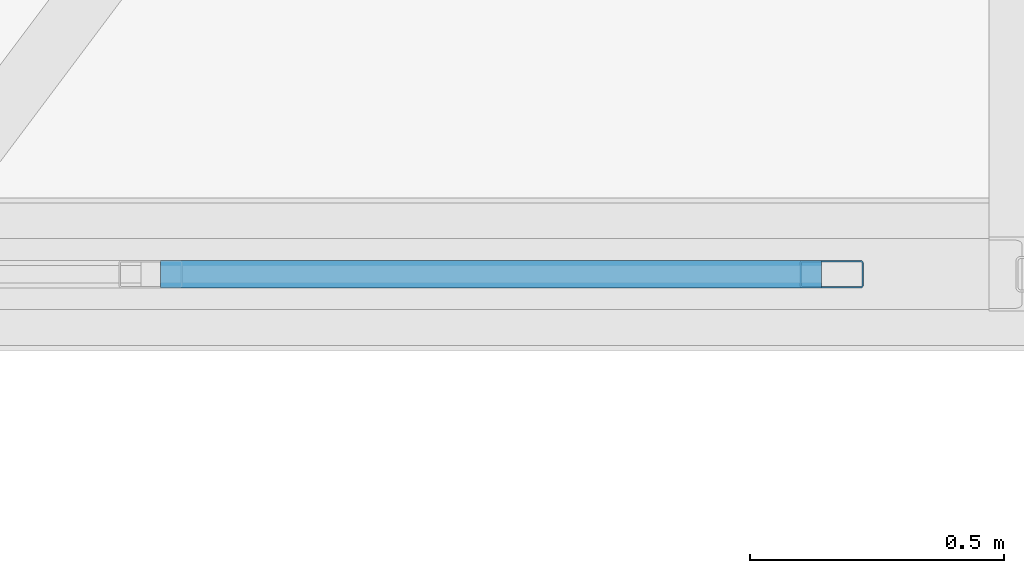
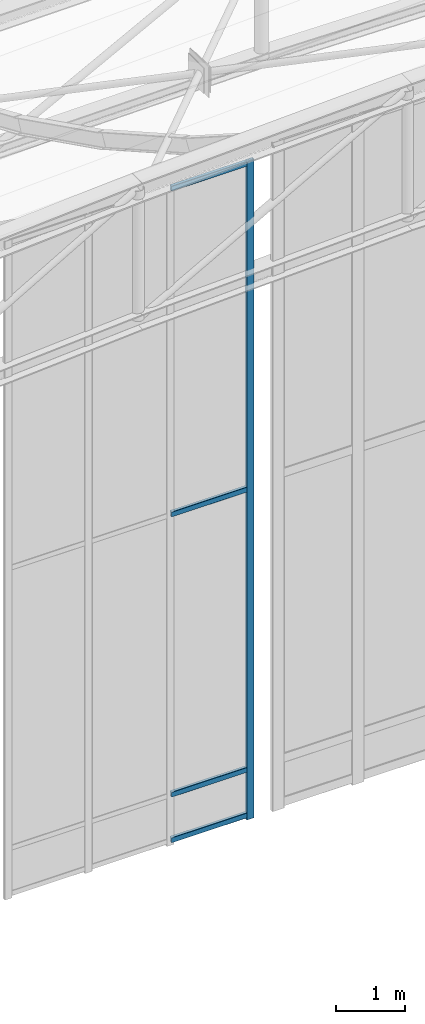
# One storey, part 50 of 262: 5 members, 1 element without a shape of its own.
"""IFC4 building model written with IfcOpenShell, lengths in metres."""

from ifc_helpers import new_model, si_unit, derived_unit, direction, frame, origin, origin_2d, place, context, subcontext, project, spatial, hollow_rectangle, extrude, material, layer, layer_set, material_profile, profile_set, type_object, element, aggregate, save


model = new_model("IFC4")

# Units and contexts
model_context = context("Model", 3, precision=1e-05, world=origin(), true_north=direction((0.0, 1.0)))
body_context = subcontext(model_context, "Body", "Model", "MODEL_VIEW")
ifc_project = project(units=[si_unit("LENGTHUNIT", "METRE"), si_unit("AREAUNIT", "SQUARE_METRE"), si_unit("VOLUMEUNIT", "CUBIC_METRE"), si_unit("PLANEANGLEUNIT", "RADIAN"), si_unit("MASSUNIT", "GRAM", prefix="KILO"), derived_unit("THERMALTRANSMITTANCEUNIT", [(si_unit("POWERUNIT", "WATT"), 1), (si_unit("LENGTHUNIT", "METRE"), -2), (si_unit("THERMODYNAMICTEMPERATUREUNIT", "KELVIN"), -1)])], contexts=[model_context])

# Site, building, storey
site_placement = place(None, origin())
site = spatial("IfcSite", under=ifc_project, at=site_placement, CompositionType="ELEMENT")
building_placement = place(site_placement, origin())
building = spatial("IfcBuilding", under=site, at=building_placement, Name="Almenara Railside Exhibition Hall", CompositionType="ELEMENT")
storey_placement = place(building_placement, frame((0.0, 0.0, 21.699951171875)))
storey = spatial("IfcBuildingStorey", under=building, at=storey_placement, Name="RF", CompositionType="ELEMENT", Elevation=21.699951171875)

# Curtain wall, members
ifc_material_1 = material(Name="Bronze-anodised aluminium and low-E double glazing", Category="aluminium")
ifc_layer = layer(ifc_material_1, 0.179931640625, Name="Bronze-anodised aluminium and low-E double glazing")
ifc_layer_set = layer_set([ifc_layer], Name="Bronze-anodised aluminium and low-E double glazing")
curtain_wall_type = type_object("IfcCurtainWallType", Name="Scroll Gable Tall Curtain Wall 3800x5400", PredefinedType="NOTDEFINED", material=ifc_layer_set)
curtain_wall_placement = place(storey_placement, origin())
curtain_wall = element("IfcCurtainWall", 1, at=curtain_wall_placement, inside=storey, type_object=curtain_wall_type, Name="Curtain wall CW-G1-199", PredefinedType="NOTDEFINED")
ifc_material_2 = material(Name="Bronze-anodised aluminium", Category="aluminium")
ifc_material_profile_1 = material_profile(ifc_material_2, hollow_rectangle(XDim=0.054931640625, YDim=0.125, WallThickness=0.0029296875, InnerFilletRadius=0.0029296875, OuterFilletRadius=0.006103515625, at=origin_2d()), Name="ALU-MUL 55x125x3")
ifc_profile_set_1 = profile_set([ifc_material_profile_1], Name="Bronze-anodised aluminium")
member_type_1 = type_object("IfcMemberType", Name="Curtain Wall Mullion 55x125x3", PredefinedType="MULLION", material=ifc_profile_set_1)
member_1_placement = place(storey_placement, frame((31.87255859375, 48.0, -0.93505859375), z_axis=(0.0, 0.0, 1.0), x_axis=(0.0, 1.0, 0.0)))
member_1 = element("IfcMember", 2, at=member_1_placement, type_object=member_type_1, Name="CW-G1-199 mullion 4", PredefinedType="MULLION", context=body_context, shape_type="SweptSolid", body=[
    extrude(hollow_rectangle(XDim=0.054931640625, YDim=0.125, WallThickness=0.0029296875, InnerFilletRadius=0.0029296875, OuterFilletRadius=0.006103515625, at=origin_2d()), origin(), (0.0, 0.0, 1.0), 11.635009765625),
])
ifc_material_profile_2 = material_profile(ifc_material_2, hollow_rectangle(XDim=0.054931640625, YDim=0.090087890625, WallThickness=0.0029296875, InnerFilletRadius=0.0029296875, OuterFilletRadius=0.006103515625, at=origin_2d()), Name="ALU-TRN 55x90x3")
ifc_profile_set_2 = profile_set([ifc_material_profile_2], Name="Bronze-anodised aluminium")
member_type_2 = type_object("IfcMemberType", Name="Curtain Wall Transom 55x90x3", PredefinedType="USERDEFINED", material=ifc_profile_set_2)
member_2_placement = place(storey_placement, frame((30.552734375, 48.0, -0.85498046875), z_axis=(1.0, 0.0, 0.0), x_axis=(0.0, 1.0, 0.0)))
member_2 = element("IfcMember", 3, at=member_2_placement, type_object=member_type_2, Name="CW-G1-199 transom 3.1", ObjectType="TRANSOM", PredefinedType="USERDEFINED", context=body_context, shape_type="SweptSolid", body=[
    extrude(hollow_rectangle(XDim=0.054931640625, YDim=0.090087890625, WallThickness=0.0029296875, InnerFilletRadius=0.0029296875, OuterFilletRadius=0.006103515625, at=origin_2d()), origin(), (0.0, 0.0, 1.0), 1.30029296875),
])
member_3_placement = place(storey_placement, frame((30.552734375, 48.0, -0.050048828125), z_axis=(1.0, 0.0, 0.0), x_axis=(0.0, 1.0, 0.0)))
member_3 = element("IfcMember", 4, at=member_3_placement, type_object=member_type_2, Name="CW-G1-199 transom 3.2", ObjectType="TRANSOM", PredefinedType="USERDEFINED", context=body_context, shape_type="SweptSolid", body=[
    extrude(hollow_rectangle(XDim=0.054931640625, YDim=0.090087890625, WallThickness=0.0029296875, InnerFilletRadius=0.0029296875, OuterFilletRadius=0.006103515625, at=origin_2d()), origin(), (0.0, 0.0, 1.0), 1.30029296875),
])
member_4_placement = place(storey_placement, frame((30.552734375, 48.0, 4.900146484375), z_axis=(1.0, 0.0, 0.0), x_axis=(0.0, 1.0, 0.0)))
member_4 = element("IfcMember", 5, at=member_4_placement, type_object=member_type_2, Name="CW-G1-199 transom 3.3", ObjectType="TRANSOM", PredefinedType="USERDEFINED", context=body_context, shape_type="SweptSolid", body=[
    extrude(hollow_rectangle(XDim=0.054931640625, YDim=0.090087890625, WallThickness=0.0029296875, InnerFilletRadius=0.0029296875, OuterFilletRadius=0.006103515625, at=origin_2d()), origin(), (0.0, 0.0, 1.0), 1.30029296875),
])
member_5_placement = place(storey_placement, frame((30.552734375, 48.0, 10.655029296875), z_axis=(1.0, 0.0, 0.0), x_axis=(0.0, 1.0, 0.0)))
member_5 = element("IfcMember", 6, at=member_5_placement, type_object=member_type_2, Name="CW-G1-199 transom 3.4", ObjectType="TRANSOM", PredefinedType="USERDEFINED", context=body_context, shape_type="SweptSolid", body=[
    extrude(hollow_rectangle(XDim=0.054931640625, YDim=0.090087890625, WallThickness=0.0029296875, InnerFilletRadius=0.0029296875, OuterFilletRadius=0.006103515625, at=origin_2d()), origin(), (0.0, 0.0, 1.0), 1.30029296875),
])
aggregate(curtain_wall, [member_1, member_2, member_3, member_4, member_5])

save(model, "model.ifc")
